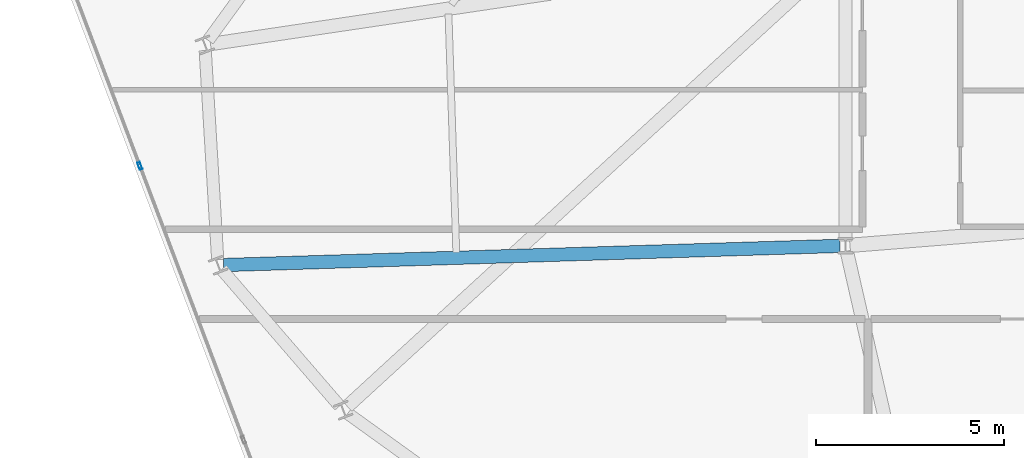
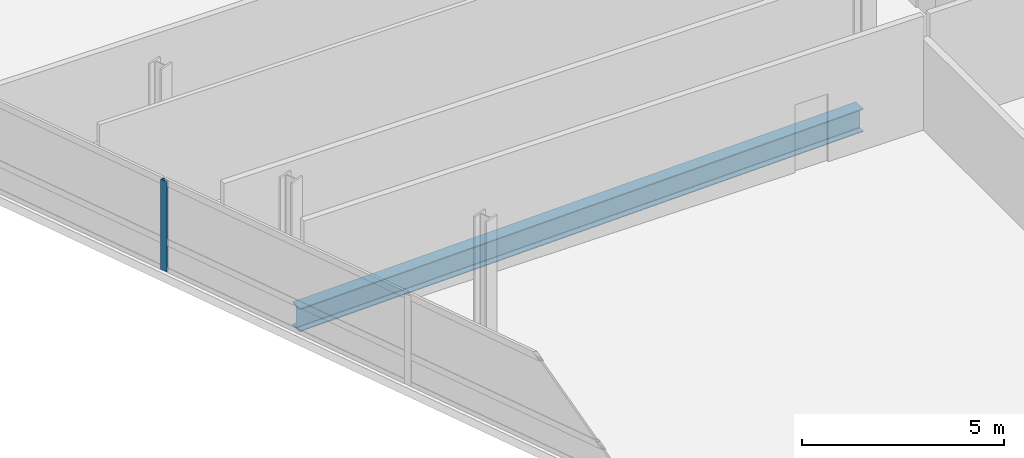
# One storey, part 6 of 20: 1 beam, 1 member, 1 element without a shape of its own.
"""IFC4 building model written with IfcOpenShell, lengths in metres."""

from ifc_helpers import new_model, si_unit, direction, frame, origin, origin_2d, place, context, subcontext, project, spatial, hollow_rectangle, i_section, extrude, material, layer, layer_set, material_profile, profile_set, type_object, element, aggregate, save


model = new_model("IFC4")

# Units and contexts
model_context = context("Model", 3, precision=1e-05, world=origin(), true_north=direction((0.0, 1.0)))
body_context = subcontext(model_context, "Body", "Model", "MODEL_VIEW")
ifc_project = project(units=[si_unit("LENGTHUNIT", "METRE"), si_unit("AREAUNIT", "SQUARE_METRE"), si_unit("VOLUMEUNIT", "CUBIC_METRE"), si_unit("PLANEANGLEUNIT", "RADIAN"), si_unit("MASSUNIT", "GRAM", prefix="KILO")], contexts=[model_context])

# Site, building, storey
site_placement = place(None, origin())
site = spatial("IfcSite", under=ifc_project, at=site_placement, CompositionType="ELEMENT")
building_placement = place(site_placement, origin())
building = spatial("IfcBuilding", under=site, at=building_placement, Name="Varnelok Gate Tower", CompositionType="ELEMENT")
storey_placement = place(building_placement, frame((0.0, 0.0, 238.60009765625)))
storey = spatial("IfcBuildingStorey", under=building, at=storey_placement, Name="L61", CompositionType="ELEMENT", Elevation=238.60009765625)

# Beam
ifc_material_1 = material(Name="Structural Steel ASTM A992 Grade 50", Category="steel")
ifc_material_profile_1 = material_profile(ifc_material_1, i_section(OverallWidth=0.35498046875, OverallDepth=0.696044921875, WebThickness=0.015380859375, FlangeThickness=0.02490234375, FilletRadius=0.02001953125, at=origin_2d()), Name="W27X146")
ifc_profile_set_1 = profile_set([ifc_material_profile_1], Name="Structural Steel ASTM A992 Grade 50")
beam_type = type_object("IfcBeamType", Name="BM-PRI-W27X146", PredefinedType="BEAM", material=ifc_profile_set_1)
beam_placement = place(storey_placement, frame((24.25, 18.79541015625, -0.59814453125), z_axis=(-0.999516665435, -0.031087546033, 0.0), x_axis=(0.031087546033, -0.999516665435, 0.0)))
element("IfcBeam", 1, at=beam_placement, inside=storey, type_object=beam_type, Name="L61 Radial Floor Girder 15", PredefinedType="BEAM", context=body_context, shape_type="SweptSolid", body=[
    extrude(i_section(OverallWidth=0.35498046875, OverallDepth=0.696044921875, WebThickness=0.015380859375, FlangeThickness=0.02490234375, FilletRadius=0.02001953125, at=origin_2d()), origin(), (0.0, 0.0, 1.0), 16.413330078125),
])

# Curtain wall, member
ifc_material_2 = material(Name="Anodized Aluminum Alloy 6063-T6", Category="aluminium")
ifc_layer = layer(ifc_material_2, 0.179931640625)
ifc_layer_set = layer_set([ifc_layer], Name="Anodized Aluminum Alloy 6063-T6")
curtain_wall_type = type_object("IfcCurtainWallType", Name="CW4-RESIDENCE-VISION", PredefinedType="USERDEFINED", material=ifc_layer_set)
curtain_wall_placement = place(storey_placement, origin())
curtain_wall = element("IfcCurtainWall", 2, at=curtain_wall_placement, inside=storey, type_object=curtain_wall_type, Name="L61 West End Vision Curtain Wall", ObjectType="UNITISED CURTAIN WALL", PredefinedType="USERDEFINED")
ifc_material_profile_2 = material_profile(ifc_material_2, hollow_rectangle(XDim=0.074951171875, YDim=0.199951171875, WallThickness=0.00390625, at=origin_2d()), Name="ALU200X75X4")
ifc_profile_set_2 = profile_set([ifc_material_profile_2], Name="Anodized Aluminum Alloy 6063-T6")
member_type = type_object("IfcMemberType", Name="CW-MULL-200", PredefinedType="MULLION", material=ifc_profile_set_2)
member_placement = place(storey_placement, frame((5.61328125, 20.9248046875, 0.0), z_axis=(0.0, 0.0, 1.0), x_axis=(-0.935221557832, -0.354063042079, 0.0)))
member = element("IfcMember", 3, at=member_placement, type_object=member_type, Name="CW4 mullion 4", PredefinedType="MULLION", context=body_context, shape_type="SweptSolid", body=[
    extrude(hollow_rectangle(XDim=0.074951171875, YDim=0.199951171875, WallThickness=0.00390625, at=origin_2d()), origin(), (0.0, 0.0, 1.0), 2.72998046875),
])
aggregate(curtain_wall, [member])

save(model, "model.ifc")
